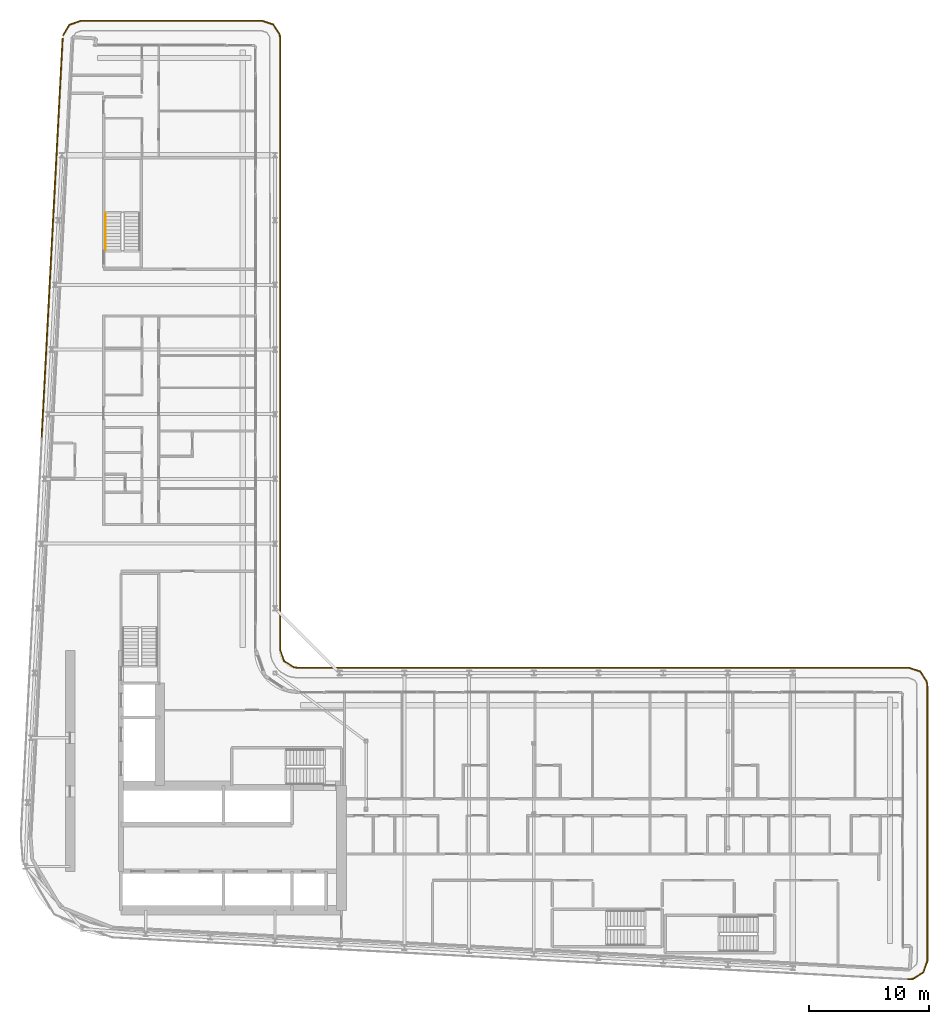
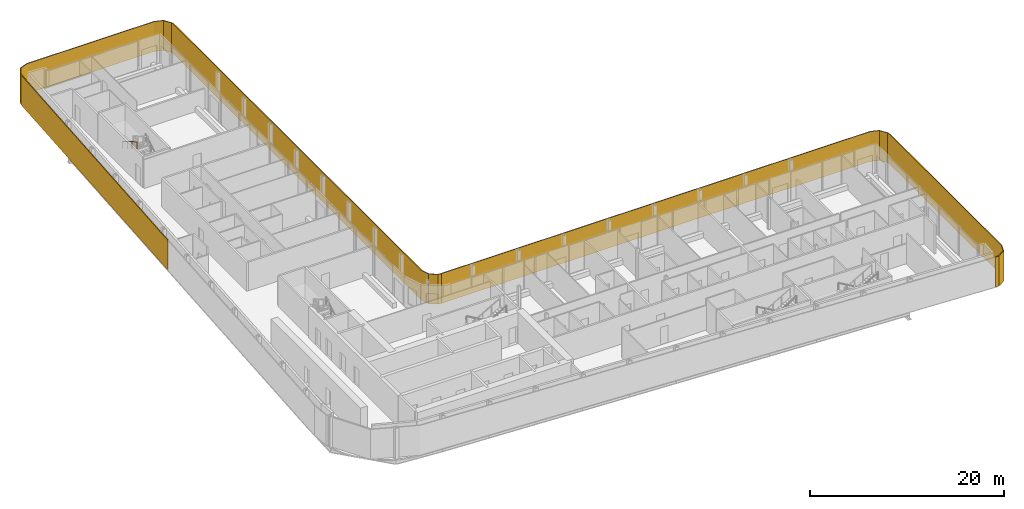
# One storey, part 27 of 29: 3 shading devices, 1 railing.
"""IFC4 building model written with IfcOpenShell, lengths in metres."""

from ifc_helpers import new_model, si_unit, direction, frame, origin, origin_2d, place, context, subcontext, project, spatial, polyline, rectangle, circle, outline, extrude, material, layer, layer_set, type_object, element, save


model = new_model("IFC4")

# Units and contexts
model_context = context("Model", 3, precision=1e-05, world=origin(), true_north=direction((0.0, 1.0)))
body_context = subcontext(model_context, "Body", "Model", "MODEL_VIEW")
ifc_project = project(units=[si_unit("LENGTHUNIT", "METRE"), si_unit("AREAUNIT", "SQUARE_METRE"), si_unit("VOLUMEUNIT", "CUBIC_METRE"), si_unit("PLANEANGLEUNIT", "RADIAN"), si_unit("MASSUNIT", "GRAM", prefix="KILO")], contexts=[model_context])

# Site, building, storey
site_placement = place(None, origin())
site = spatial("IfcSite", under=ifc_project, at=site_placement, CompositionType="ELEMENT")
building_placement = place(site_placement, origin())
building = spatial("IfcBuilding", under=site, at=building_placement, Name="Kheshtan School and Residences Tower", CompositionType="ELEMENT")
storey_placement = place(building_placement, frame((0.0, 0.0, 183.800048828125)))
storey = spatial("IfcBuildingStorey", under=building, at=storey_placement, Name="L43", CompositionType="ELEMENT", Elevation=183.800048828125)

# Shading devices
ifc_material_1 = material(Name="Terracotta baguette, extruded ceramic", Category="masonry")
ifc_layer_1 = layer(ifc_material_1, 0.10009765625)
ifc_layer_set_1 = layer_set([ifc_layer_1], Name="Ledge screen, terracotta baguettes")
shading_device_type_1 = type_object("IfcShadingDeviceType", Name="Ledge screen, terracotta baguettes", PredefinedType="USERDEFINED", material=ifc_layer_set_1)
shading_device_1_placement = place(storey_placement, frame((28.9990234375, 81.93408203125, 0.0), z_axis=(0.0, 0.0, 1.0), x_axis=(0.052562536748, 0.998617634398, 0.0)))
element("IfcShadingDevice", 1, at=shading_device_1_placement, inside=storey, type_object=shading_device_type_1, Name="Screen L43 5", ObjectType="BAGUETTE", PredefinedType="USERDEFINED", context=body_context, shape_type="SweptSolid", body=[
    extrude(rectangle(XDim=33.341064453125, YDim=0.10009765625, at=origin_2d()), origin(), (0.0, 0.0, 1.0), 3.75),
])
ifc_material_2 = material(Name="Terracotta lattice, extruded ceramic", Category="masonry")
ifc_layer_2 = layer(ifc_material_2, 0.10009765625)
ifc_layer_set_2 = layer_set([ifc_layer_2], Name="Loggia screen, terracotta lattice")
shading_device_type_2 = type_object("IfcShadingDeviceType", Name="Loggia screen, terracotta lattice", PredefinedType="USERDEFINED", material=ifc_layer_set_2)
shading_device_2_placement = place(storey_placement, origin())
element("IfcShadingDevice", 2, at=shading_device_2_placement, inside=storey, type_object=shading_device_type_2, Name="Screen L43 1", ObjectType="SCREEN", PredefinedType="USERDEFINED", context=body_context, shape_type="SweptSolid", body=[
    extrude(outline(polyline([(29.949951171875, 98.783935546875), (30.468017578125, 99.656982421875), (31.423095703125, 100.0), (46.5, 100.0), (47.4130859375, 99.68994140625), (47.948974609375, 98.887939453125), (48.0, 98.5), (48.0, 47.5), (48.31005859375, 46.5869140625), (49.112060546875, 46.051025390625), (49.5, 46.0), (49.512939453125, 46.09912109375), (49.14794921875, 46.14697265625), (48.39404296875, 46.65087890625), (48.10009765625, 47.51708984375), (48.10009765625, 98.507080078125), (48.044921875, 98.924072265625), (47.47705078125, 99.77392578125), (46.51708984375, 100.10009765625), (31.406005859375, 100.10009765625), (30.39990234375, 99.739013671875), (29.864013671875, 98.8349609375), (29.949951171875, 98.783935546875)])), origin(), (0.0, 0.0, 1.0), 3.75),
])
shading_device_3_placement = place(storey_placement, origin())
element("IfcShadingDevice", 3, at=shading_device_3_placement, inside=storey, type_object=shading_device_type_2, Name="Screen L43 2", ObjectType="SCREEN", PredefinedType="USERDEFINED", context=body_context, shape_type="SweptSolid", body=[
    extrude(outline(polyline([(49.5, 46.0), (100.5, 46.0), (101.4130859375, 45.68994140625), (101.948974609375, 44.887939453125), (102.0, 44.5), (102.0, 21.5810546875), (101.669921875, 20.64208984375), (100.823974609375, 20.116943359375), (100.4208984375, 20.0830078125), (100.428955078125, 19.98291015625), (100.85595703125, 20.01904296875), (101.7529296875, 20.575927734375), (102.10009765625, 21.56396484375), (102.10009765625, 44.507080078125), (102.044921875, 44.924072265625), (101.47705078125, 45.77392578125), (100.51708984375, 46.10009765625), (49.5, 46.10009765625), (49.5, 46.0)])), origin(), (0.0, 0.0, 1.0), 3.75),
])

# Railing
ifc_material_3 = material(Name="Stainless steel handrail", Category="steel")
railing_type = type_object("IfcRailingType", Name="Stair handrail 900", PredefinedType="HANDRAIL", material=ifc_material_3)
railing_placement = place(storey_placement, frame((33.449951171875, 83.97998046875, 2.112548828125)))
element("IfcRailing", 4, at=railing_placement, inside=storey, type_object=railing_type, Name="L43 ST3 stair handrail 2", PredefinedType="HANDRAIL", context=body_context, shape_type="SweptSolid", body=[
    extrude(circle(Radius=0.02392578125, at=origin_2d()), frame((0.0, 0.0, 0.8759765625), z_axis=(0.0, -0.864920483161, 0.501908913857), x_axis=(1.0, 0.0, 0.0)), (0.0, 0.0, 1.0), 3.56103515625),
    extrude(circle(Radius=0.02099609375, at=origin_2d()), origin(), (0.0, 0.0, 1.0), 0.851806640625),
    extrude(circle(Radius=0.02099609375, at=origin_2d()), frame((0.0, -1.026611328125, 0.595703125)), (0.0, 0.0, 1.0), 0.851806640625),
    extrude(circle(Radius=0.02099609375, at=origin_2d()), frame((0.0, -2.053466796875, 1.191650390625)), (0.0, 0.0, 1.0), 0.851806640625),
    extrude(circle(Radius=0.02099609375, at=origin_2d()), frame((0.0, -3.080078125, 1.787353515625)), (0.0, 0.0, 1.0), 0.851806640625),
])

save(model, "model.ifc")
